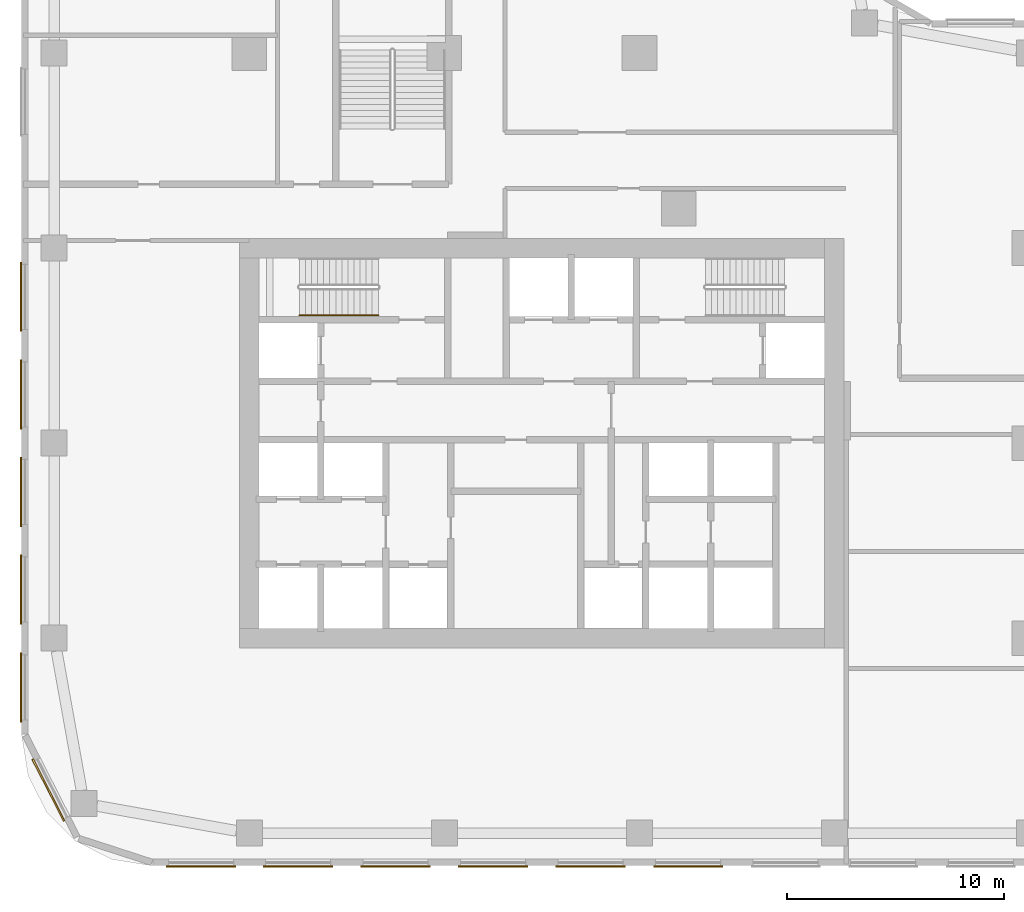
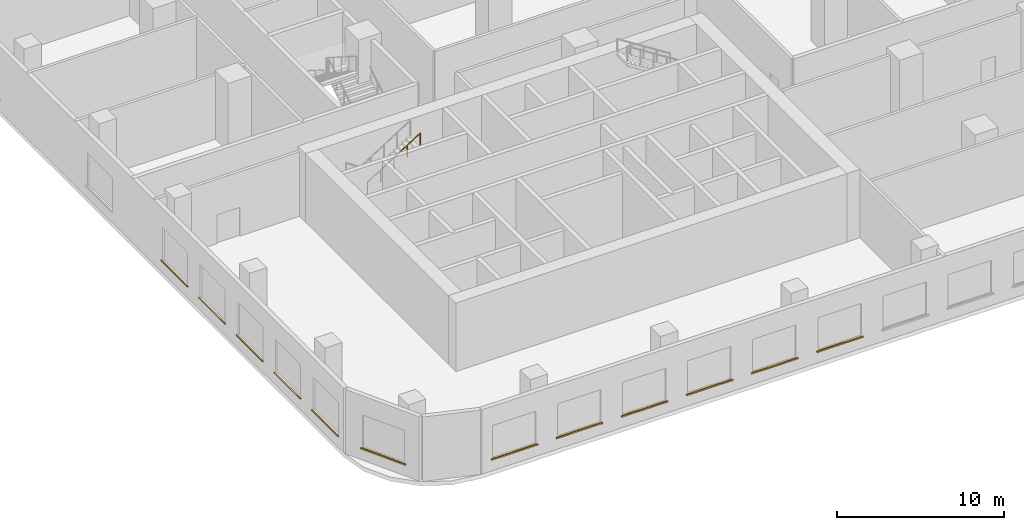
# One storey, part 23 of 35: 12 coverings, 1 railing.
"""IFC4 building model written with IfcOpenShell, lengths in metres."""

from ifc_helpers import new_model, si_unit, direction, frame, origin, origin_2d, place, context, subcontext, project, spatial, rectangle, circle, extrude, material, layer, layer_set, type_object, element, save


model = new_model("IFC4")

# Units and contexts
model_context = context("Model", 3, precision=1e-05, world=origin(), true_north=direction((0.0, 1.0)))
body_context = subcontext(model_context, "Body", "Model", "MODEL_VIEW")
ifc_project = project(units=[si_unit("LENGTHUNIT", "METRE"), si_unit("AREAUNIT", "SQUARE_METRE"), si_unit("VOLUMEUNIT", "CUBIC_METRE"), si_unit("PLANEANGLEUNIT", "RADIAN"), si_unit("MASSUNIT", "GRAM", prefix="KILO")], contexts=[model_context])

# Site, building, storey
site_placement = place(None, origin())
site = spatial("IfcSite", under=ifc_project, at=site_placement, CompositionType="ELEMENT")
building_placement = place(site_placement, origin())
building = spatial("IfcBuilding", under=site, at=building_placement, Name="Ogive Portal Towers", CompositionType="ELEMENT")
storey_placement = place(building_placement, frame((0.0, 0.0, 18.5)))
storey = spatial("IfcBuildingStorey", under=building, at=storey_placement, Name="L03", CompositionType="ELEMENT", Elevation=18.5)

# Railing
ifc_material_1 = material(Name="Stainless steel handrail", Category="steel")
railing_type = type_object("IfcRailingType", Name="INT-HANDRAIL", PredefinedType="HANDRAIL", material=ifc_material_1)
railing_placement = place(storey_placement, frame((33.81005859375, 36.39990234375, 2.678466796875)))
element("IfcRailing", 1, at=railing_placement, inside=storey, type_object=railing_type, Name="L03 ST-A1 stair handrail 2", PredefinedType="HANDRAIL", context=body_context, shape_type="SweptSolid", body=[
    extrude(circle(Radius=0.02392578125, at=origin_2d()), frame((0.0, 0.0, 0.8759765625), z_axis=(0.843111507901, 0.0, 0.53773877045), x_axis=(0.0, 1.0, 0.0)), (0.0, 0.0, 1.0), 4.317138671875),
    extrude(circle(Radius=0.02099609375, at=origin_2d()), origin(), (0.0, 0.0, 1.0), 0.851806640625),
    extrude(circle(Radius=0.02099609375, at=origin_2d()), frame((0.909912109375, 0.0, 0.580322265625)), (0.0, 0.0, 1.0), 0.851806640625),
    extrude(circle(Radius=0.02099609375, at=origin_2d()), frame((1.81982421875, 0.0, 1.16064453125)), (0.0, 0.0, 1.0), 0.851806640625),
    extrude(circle(Radius=0.02099609375, at=origin_2d()), frame((2.72998046875, 0.0, 1.7412109375)), (0.0, 0.0, 1.0), 0.851806640625),
    extrude(circle(Radius=0.02099609375, at=origin_2d()), frame((3.639892578125, 0.0, 2.321533203125)), (0.0, 0.0, 1.0), 0.851806640625),
])

# Coverings
ifc_material_2 = material(Name="Limestone cladding on lightweight block wall", Category="masonry")
ifc_layer = layer(ifc_material_2, 0.080078125)
ifc_layer_set = layer_set([ifc_layer], Name="STONE SILL 80")
covering_type = type_object("IfcCoveringType", Name="STONE SILL 80", PredefinedType="CLADDING", material=ifc_layer_set)
for number, where, z_axis, x_axis, name in (
    (2, (22.233642578125, 14.49072265625, 0.840087890625), (0.0, 0.0, 1.0), (0.45399049974, -0.891006524188, 0.0), "Stone sill"),
    (3, (29.273681640625, 10.9599609375, 0.840087890625), (0.0, 0.0, 1.0), (1.0, 0.0, 0.0), "Stone sill"),
    (4, (33.75, 10.9599609375, 0.840087890625), (0.0, 0.0, 1.0), (1.0, 0.0, 0.0), "Stone sill"),
    (5, (38.25, 10.9599609375, 0.840087890625), (0.0, 0.0, 1.0), (1.0, 0.0, 0.0), "Stone sill"),
    (6, (42.75, 10.9599609375, 0.840087890625), (0.0, 0.0, 1.0), (1.0, 0.0, 0.0), "Stone sill"),
    (7, (47.25, 10.9599609375, 0.840087890625), (0.0, 0.0, 1.0), (1.0, 0.0, 0.0), "Stone sill"),
    (8, (51.75, 10.9599609375, 0.840087890625), (0.0, 0.0, 1.0), (1.0, 0.0, 0.0), "Stone sill"),
    (9, (20.9599609375, 37.25, 0.840087890625), (0.0, 0.0, 1.0), (0.0, -1.0, 0.0), "Stone sill"),
    (10, (20.9599609375, 32.75, 0.840087890625), (0.0, 0.0, 1.0), (0.0, -1.0, 0.0), "Stone sill"),
    (11, (20.9599609375, 28.25, 0.840087890625), (0.0, 0.0, 1.0), (0.0, -1.0, 0.0), "Stone sill"),
    (12, (20.9599609375, 23.75, 0.840087890625), (0.0, 0.0, 1.0), (0.0, -1.0, 0.0), "Stone sill"),
    (13, (20.9599609375, 19.226318359375, 0.840087890625), (0.0, 0.0, 1.0), (0.0, -1.0, 0.0), "Stone sill"),
):
    element("IfcCovering", number, at=place(storey_placement, frame(where, z_axis=z_axis, x_axis=x_axis)), inside=storey, type_object=covering_type, Name=name, PredefinedType="CLADDING", context=body_context, shape_type="SweptSolid", body=[
        extrude(rectangle(XDim=3.199951171875, YDim=0.080078125, at=origin_2d()), origin(), (0.0, 0.0, 1.0), 0.06005859375),
    ])

save(model, "model.ifc")
